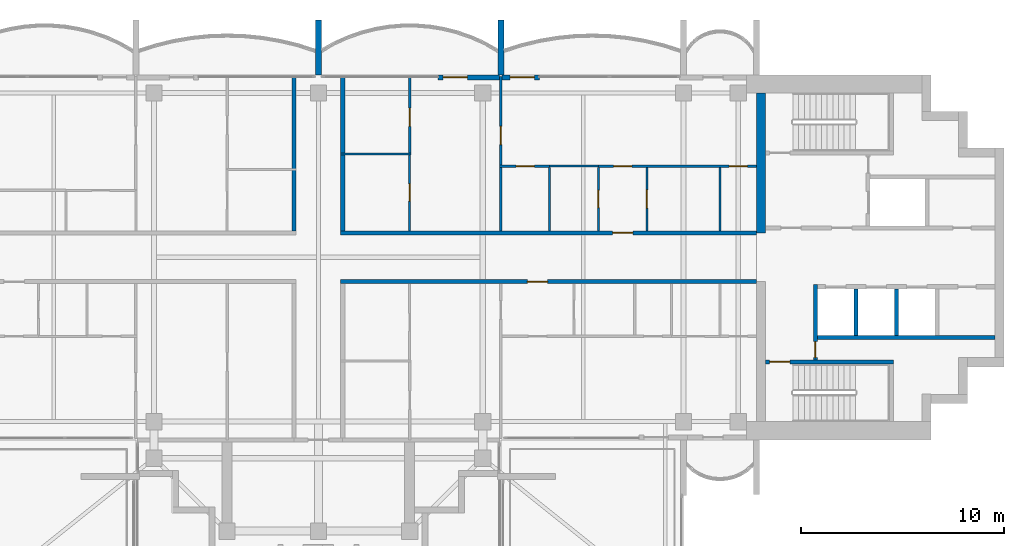
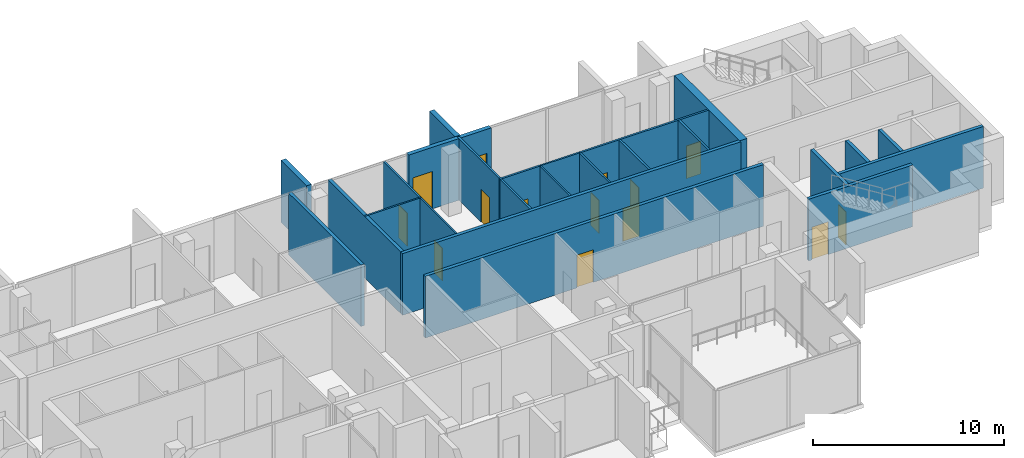
# One storey, part 10 of 16: 25 walls, 14 doors, 14 openings.
"""IFC4 building model written with IfcOpenShell, lengths in metres."""

import ifcopenshell
import ifcopenshell.guid

model = None  # the IFC model being written
_history = None  # IfcOwnerHistory: only IFC2X3 demands one
_inside = {}  # id of a spatial element -> (the spatial element, [elements in it])
_under = {}  # id of a project, library or spatial element -> (it, [spatial elements below it])
_declared = {}  # id of a project -> (the project, [libraries it declares])
_typed = {}  # id of a type object -> (the type object, [elements of that type])
_made_of = {}  # id of a material, layer set ... -> (it, [elements and type objects made of it])


def new_model(schema):
    """Start an empty IFC model of exactly this schema.

    Asked for "IFC4X3", IfcOpenShell would pick the latest addendum, in which some entities
    have other attributes; the version numbers below select the first issue.
    IFC2X3 requires an IfcOwnerHistory on every rooted entity: one is made here for all.
    """
    global model, _history
    if schema == "IFC4X3":
        model = ifcopenshell.file(schema_version=(4, 3, 0, 0))
    else:
        model = ifcopenshell.file(schema=schema)
    _inside.clear()
    _under.clear()
    _declared.clear()
    _typed.clear()
    _made_of.clear()
    _history = None
    if model.schema == "IFC2X3":
        org = make("IfcOrganization", Name="unknown")
        user = make(
            "IfcPersonAndOrganization",
            ThePerson=make("IfcPerson", FamilyName="unknown"),
            TheOrganization=org,
        )
        app = make(
            "IfcApplication",
            ApplicationDeveloper=org,
            Version="unknown",
            ApplicationFullName="unknown",
            ApplicationIdentifier="unknown",
        )
        _history = make(
            "IfcOwnerHistory",
            OwningUser=user,
            OwningApplication=app,
            ChangeAction="ADDED",
            CreationDate=0,
        )
    return model


def make(cls, **values):
    """One entity of the class cls with the attributes given. An attribute that is None is left unset."""
    return model.create_entity(
        cls, **{name: value for name, value in values.items() if value is not None}
    )


def rooted(cls, **values):
    """An entity with a GlobalId (a new one), such as an element, a storey or a relation."""
    return make(cls, GlobalId=ifcopenshell.guid.new(), OwnerHistory=_history, **values)


def si_unit(unit_type, name, prefix=None):
    """IfcSIUnit, for example si_unit("LENGTHUNIT", "METRE", prefix="MILLI")."""
    return make("IfcSIUnit", UnitType=unit_type, Prefix=prefix, Name=name)


def assignment(units):
    """IfcUnitAssignment: the units of a project."""
    return None if units is None else make("IfcUnitAssignment", Units=units)


def point(xyz):
    """IfcCartesianPoint."""
    return None if xyz is None else make("IfcCartesianPoint", Coordinates=xyz)


def direction(xyz):
    """IfcDirection."""
    return None if xyz is None else make("IfcDirection", DirectionRatios=xyz)


def frame(location, z_axis=None, x_axis=None):
    """IfcAxis2Placement3D, a coordinate frame: its origin and axes. An axis left out is left unset."""
    return make(
        "IfcAxis2Placement3D",
        Location=point(location),
        Axis=direction(z_axis),
        RefDirection=direction(x_axis),
    )


def frame_2d(location, x_axis=None):
    """IfcAxis2Placement2D, a coordinate frame in the plane: its origin and x axis."""
    return make(
        "IfcAxis2Placement2D", Location=point(location), RefDirection=direction(x_axis)
    )


def origin():
    """The frame at (0, 0, 0) with its axes left unset."""
    return frame((0.0, 0.0, 0.0))


def place(relative_to, where):
    """IfcLocalPlacement: puts the frame where relative to a parent placement (None: the world)."""
    return make(
        "IfcLocalPlacement", PlacementRelTo=relative_to, RelativePlacement=where
    )


def context(
    kind, dimensions, precision=None, world=None, true_north=None, identifier=None
):
    """IfcGeometricRepresentationContext, for example the 3D "Model" context."""
    return make(
        "IfcGeometricRepresentationContext",
        ContextIdentifier=identifier,
        ContextType=kind,
        CoordinateSpaceDimension=dimensions,
        Precision=precision,
        WorldCoordinateSystem=world,
        TrueNorth=true_north,
    )


def subcontext(parent, identifier, kind, view, scale=None):
    """IfcGeometricRepresentationSubContext, for example "Body" below "Model"."""
    return make(
        "IfcGeometricRepresentationSubContext",
        ContextIdentifier=identifier,
        ContextType=kind,
        ParentContext=parent,
        TargetScale=scale,
        TargetView=view,
    )


def project(units=None, contexts=None):
    """IfcProject with its units and contexts."""
    return rooted(
        "IfcProject",
        Name="project",
        RepresentationContexts=contexts,
        UnitsInContext=assignment(units),
    )


def spatial(cls, under=None, at=None, **own):
    """A site, building, storey or space (cls), placed at a placement, below another one or the project."""
    s = rooted(cls, ObjectPlacement=at, **own)
    if under is not None:
        _under.setdefault(under.id(), (under, []))[1].append(s)
    return s


def profile(cls, at=None, kind="AREA", **sizes):
    """A parametric profile (cls). Its sizes go by their IFC names, for example OverallWidth=200.0."""
    return make(cls, ProfileType=kind, Position=at, **sizes)


def rectangle(**sizes):
    """IfcRectangleProfileDef."""
    return profile("IfcRectangleProfileDef", **sizes)


def extrude(swept, where, along, depth):
    """IfcExtrudedAreaSolid: the profile swept, set in the frame where, extruded along a direction by depth."""
    return make(
        "IfcExtrudedAreaSolid",
        SweptArea=swept,
        Position=where,
        ExtrudedDirection=direction(along),
        Depth=depth,
    )


def shape(context_of_items, identifier, shape_type, items):
    """IfcShapeRepresentation: the items that make up one representation, for example the "Body"."""
    return make(
        "IfcShapeRepresentation",
        ContextOfItems=context_of_items,
        RepresentationIdentifier=identifier,
        RepresentationType=shape_type,
        Items=items,
    )


def material(Name=None, Category=None):
    """IfcMaterial."""
    return make("IfcMaterial", Name=Name, Category=Category)


def layer(
    of_material, thickness, ventilated=None, Name=None, Category=None, Priority=None
):
    """IfcMaterialLayer: one layer of a wall or slab, of a material (None: an air gap)."""
    return make(
        "IfcMaterialLayer",
        Material=of_material,
        LayerThickness=thickness,
        IsVentilated=ventilated,
        Name=Name,
        Category=Category,
        Priority=Priority,
    )


def layer_set(layers, Name=None):
    """IfcMaterialLayerSet."""
    return make("IfcMaterialLayerSet", MaterialLayers=layers, LayerSetName=Name)


def made_of(thing, what):
    """Note that an element or type object is made of a material, layer set ...; save() writes the relation."""
    if what is not None:
        _made_of.setdefault(what.id(), (what, []))[1].append(thing)
    return thing


def type_object(cls, material=None, **own):
    """A type object (cls), such as IfcWallType, which elements share."""
    return made_of(rooted(cls, **own), material)


def element(
    cls,
    number,
    at=None,
    inside=None,
    cuts=None,
    type_object=None,
    material=None,
    context=None,
    identifier="Body",
    shape_type=None,
    held_by="IfcProductDefinitionShape",
    body=None,
    shapes=None,
    **own,
):
    """One element of the class cls, such as IfcWall. Its Tag is "e" and its number.

    at: its placement. inside: the storey or other place that contains it. cuts: it is an
    opening in that element (IfcRelVoidsElement). A single representation is given by context,
    identifier, shape_type and body (its items); several are given by shapes. held_by: the class
    of the entity that holds the representations. save() writes the other relations.
    """
    e = rooted(cls, Tag="e%d" % number, ObjectPlacement=at, **own)
    if body is not None:
        shapes = [shape(context, identifier, shape_type, body)]
    if shapes is not None:
        e.Representation = make(held_by, Representations=shapes)
    if inside is not None:
        _inside.setdefault(inside.id(), (inside, []))[1].append(e)
    if cuts is not None:
        rooted(
            "IfcRelVoidsElement", RelatingBuildingElement=cuts, RelatedOpeningElement=e
        )
    if type_object is not None:
        _typed.setdefault(type_object.id(), (type_object, []))[1].append(e)
    return made_of(e, material)


def fill(opening, filler):
    """IfcRelFillsElement: the door or window that sits in an opening."""
    return rooted(
        "IfcRelFillsElement",
        RelatingOpeningElement=opening,
        RelatedBuildingElement=filler,
    )


def aggregate(whole, parts):
    """IfcRelAggregates: a whole, such as a stair, and the parts it consists of."""
    return rooted("IfcRelAggregates", RelatingObject=whole, RelatedObjects=parts)


def save(model, path):
    """Write the relations noted so far, then the file.

    IfcRelAggregates (storeys below a building ...), IfcRelContainedInSpatialStructure (elements
    in a storey), IfcRelDefinesByType, IfcRelAssociatesMaterial and IfcRelDeclares: one each for
    every whole, place, type object, material and project.
    """
    for whole, parts in _under.values():
        aggregate(whole, parts)
    for where, things in _inside.values():
        rooted(
            "IfcRelContainedInSpatialStructure",
            RelatedElements=things,
            RelatingStructure=where,
        )
    for kind, things in _typed.values():
        rooted("IfcRelDefinesByType", RelatedObjects=things, RelatingType=kind)
    for what, things in _made_of.values():
        rooted("IfcRelAssociatesMaterial", RelatedObjects=things, RelatingMaterial=what)
    for by, libraries in _declared.values():
        rooted("IfcRelDeclares", RelatingContext=by, RelatedDefinitions=libraries)
    model.write(path)


model = new_model("IFC4")

# Units and contexts
model_context = context("Model", 3, precision=1e-05, world=origin(), true_north=direction((0.0, 1.0)))
body_context = subcontext(model_context, "Body", "Model", "MODEL_VIEW")
ifc_project = project(units=[si_unit("LENGTHUNIT", "METRE"), si_unit("AREAUNIT", "SQUARE_METRE"), si_unit("VOLUMEUNIT", "CUBIC_METRE"), si_unit("PLANEANGLEUNIT", "RADIAN"), si_unit("MASSUNIT", "GRAM", prefix="KILO")], contexts=[model_context])

# Site, building, storey
site_placement = place(None, origin())
site = spatial("IfcSite", under=ifc_project, at=site_placement, CompositionType="ELEMENT")
building_placement = place(site_placement, origin())
building = spatial("IfcBuilding", under=site, at=building_placement, Name="Perihelion Cross Residences", CompositionType="ELEMENT")
storey_placement = place(building_placement, frame((0.0, 0.0, 290.39990234375)))
storey = spatial("IfcBuildingStorey", under=building, at=storey_placement, Name="L74", CompositionType="ELEMENT", Elevation=290.39990234375)

# Wall, opening, door
ifc_material_1 = material(Name="Plasterboard partition")
ifc_layer_1 = layer(ifc_material_1, 0.199951171875)
ifc_layer_set_1 = layer_set([ifc_layer_1], Name="Apartment separation wall 200")
wall_type_1 = type_object("IfcWallType", Name="Apartment separation wall 200", PredefinedType="PARTITIONING", material=ifc_layer_set_1)
wall_1_placement = place(storey_placement, frame((1.10009765625, 1.199951171875, 0.0), z_axis=(0.0, 0.0, 1.0), x_axis=(1.0, 0.0, 0.0)))
wall_1 = element("IfcWall", 1, at=wall_1_placement, inside=storey, type_object=wall_type_1, Name="Partition L74 W001", PredefinedType="PARTITIONING", context=body_context, shape_type="SweptSolid", body=[
    extrude(rectangle(XDim=20.5, YDim=0.199951171875, at=frame_2d((10.25, 0.0))), origin(), (0.0, 0.0, 1.0), 3.9501953125),
])
opening_1_placement = place(wall_1_placement, frame((13.39990234375, 0.0, 0.0)))
opening_1 = element("IfcOpeningElement", 2, at=opening_1_placement, cuts=wall_1, Name="Opening L74.A35", PredefinedType="OPENING", context=body_context, shape_type="SweptSolid", body=[
    extrude(rectangle(XDim=1.0, YDim=2.10009765625, at=frame_2d((0.5, 1.050048828125))), frame((0.0, 0.10986328125, 0.0), z_axis=(0.0, -1.0, 0.0), x_axis=(1.0, 0.0, 0.0)), (0.0, 0.0, 1.0), 0.219970703125),
])
ifc_material_2 = material(Name="Timber door leaf", Category="wood")
door_type_1 = type_object("IfcDoorType", Name="Flat entrance door 1000 x 2100", OperationType="SINGLE_SWING_LEFT", PredefinedType="DOOR", material=ifc_material_2)
door_1_placement = place(opening_1_placement, origin())
door_1 = element("IfcDoor", 3, at=door_1_placement, inside=storey, type_object=door_type_1, Name="Door L74.A35", OperationType="SINGLE_SWING_LEFT", OverallHeight=2.10009765625, OverallWidth=1.0, PredefinedType="DOOR", context=body_context, shape_type="SweptSolid", body=[
    extrude(rectangle(XDim=1.0, YDim=2.10009765625, at=frame_2d((0.5, 1.050048828125))), frame((0.0, 0.02490234375, 0.0), z_axis=(0.0, -1.0, 0.0), x_axis=(1.0, 0.0, 0.0)), (0.0, 0.0, 1.0), 0.050048828125),
])
fill(opening_1, door_1)

# Wall
wall_2_placement = place(storey_placement, frame((1.199951171875, 8.919921875, 0.0), z_axis=(0.0, 0.0, 1.0), x_axis=(0.0, -1.0, 0.0)))
element("IfcWall", 4, at=wall_2_placement, inside=storey, type_object=wall_type_1, Name="Partition L74 W002", PredefinedType="PARTITIONING", context=body_context, shape_type="SweptSolid", body=[
    extrude(rectangle(XDim=7.619873046875, YDim=0.199951171875, at=frame_2d((3.81005859375, 0.0))), origin(), (0.0, 0.0, 1.0), 3.9501953125),
])

# Wall, opening, door
wall_3_placement = place(storey_placement, frame((21.60009765625, -1.199951171875, 0.0), z_axis=(0.0, 0.0, 1.0), x_axis=(-1.0, 0.0, 0.0)))
wall_3 = element("IfcWall", 5, at=wall_3_placement, inside=storey, type_object=wall_type_1, Name="Partition L74 W003", PredefinedType="PARTITIONING", context=body_context, shape_type="SweptSolid", body=[
    extrude(rectangle(XDim=20.5, YDim=0.199951171875, at=frame_2d((10.25, 0.0))), origin(), (0.0, 0.0, 1.0), 3.9501953125),
])
opening_2_placement = place(wall_3_placement, frame((10.300048828125, 0.0, 0.0)))
opening_2 = element("IfcOpeningElement", 6, at=opening_2_placement, cuts=wall_3, Name="Opening L74.A36", PredefinedType="OPENING", context=body_context, shape_type="SweptSolid", body=[
    extrude(rectangle(XDim=1.0, YDim=2.10009765625, at=frame_2d((0.5, 1.050048828125))), frame((0.0, 0.10986328125, 0.0), z_axis=(0.0, -1.0, 0.0), x_axis=(1.0, 0.0, 0.0)), (0.0, 0.0, 1.0), 0.219970703125),
])
door_2_placement = place(opening_2_placement, origin())
door_2 = element("IfcDoor", 7, at=door_2_placement, inside=storey, type_object=door_type_1, Name="Door L74.A36", OperationType="SINGLE_SWING_RIGHT", OverallHeight=2.10009765625, OverallWidth=1.0, PredefinedType="DOOR", context=body_context, shape_type="SweptSolid", body=[
    extrude(rectangle(XDim=1.0, YDim=2.10009765625, at=frame_2d((0.5, 1.050048828125))), frame((0.0, 0.02490234375, 0.0), z_axis=(0.0, -1.0, 0.0), x_axis=(1.0, 0.0, 0.0)), (0.0, 0.0, 1.0), 0.050048828125),
])
fill(opening_2, door_2)

# Wall
wall_4_placement = place(storey_placement, frame((-1.199951171875, 1.300048828125, 0.0), z_axis=(0.0, 0.0, 1.0), x_axis=(0.0, 1.0, 0.0)))
element("IfcWall", 8, at=wall_4_placement, inside=storey, type_object=wall_type_1, Name="Partition L74 W006", PredefinedType="PARTITIONING", context=body_context, shape_type="SweptSolid", body=[
    extrude(rectangle(XDim=7.619873046875, YDim=0.199951171875, at=frame_2d((3.81005859375, 0.0))), origin(), (0.0, 0.0, 1.0), 3.9501953125),
])

# Wall, opening, door
ifc_material_3 = material(Name="Concrete C30/37, bronze-clad", Category="concrete")
ifc_layer_2 = layer(ifc_material_3, 0.25)
ifc_layer_set_2 = layer_set([ifc_layer_2], Name="Bronze-clad pier wall 250")
wall_type_2 = type_object("IfcWallType", Name="Bronze-clad pier wall 250", PredefinedType="SOLIDWALL", material=ifc_layer_set_2)
wall_5_placement = place(storey_placement, frame((10.89990234375, 8.875, 0.0), z_axis=(0.0, 0.0, 1.0), x_axis=(-1.0, 0.0, 0.0)))
wall_5 = element("IfcWall", 9, at=wall_5_placement, inside=storey, type_object=wall_type_2, Name="Wall FW1 L74 east side north bay 2 pier", PredefinedType="SOLIDWALL", context=body_context, shape_type="SweptSolid", body=[
    extrude(rectangle(XDim=1.83984375, YDim=0.25, at=frame_2d((0.919921875, 0.0))), origin(), (0.0, 0.0, 1.0), 3.9501953125),
])
opening_3_placement = place(wall_5_placement, frame((0.25, 0.0, 0.0)))
opening_3 = element("IfcOpeningElement", 10, at=opening_3_placement, cuts=wall_5, Name="Opening L74.E02", PredefinedType="OPENING", context=body_context, shape_type="SweptSolid", body=[
    extrude(rectangle(XDim=1.199951171875, YDim=2.39990234375, at=frame_2d((0.60009765625, 1.199951171875))), frame((0.0, 0.135009765625, 0.0), z_axis=(0.0, -1.0, 0.0), x_axis=(1.0, 0.0, 0.0)), (0.0, 0.0, 1.0), 0.27001953125),
])
ifc_material_4 = material(Name="Bronze anodised aluminium, glazed", Category="aluminium")
door_type_2 = type_object("IfcDoorType", Name="Balcony door 1200 x 2400", OperationType="NOTDEFINED", PredefinedType="DOOR", material=ifc_material_4)
door_3_placement = place(opening_3_placement, origin())
door_3 = element("IfcDoor", 11, at=door_3_placement, inside=storey, type_object=door_type_2, Name="Door L74.E02 east side north bay 2", OperationType="SINGLE_SWING_RIGHT", OverallHeight=2.39990234375, OverallWidth=1.199951171875, PredefinedType="DOOR", context=body_context, shape_type="SweptSolid", body=[
    extrude(rectangle(XDim=1.199951171875, YDim=2.39990234375, at=frame_2d((0.60009765625, 1.199951171875))), frame((0.0, 0.02490234375, 0.0), z_axis=(0.0, -1.0, 0.0), x_axis=(1.0, 0.0, 0.0)), (0.0, 0.0, 1.0), 0.050048828125),
])
fill(opening_3, door_3)

wall_6_placement = place(storey_placement, frame((8.93994140625, 8.875, 0.0), z_axis=(0.0, 0.0, 1.0), x_axis=(-1.0, 0.0, 0.0)))
wall_6 = element("IfcWall", 12, at=wall_6_placement, inside=storey, type_object=wall_type_2, Name="Wall FW1 L74 north side east bay 1 pier", PredefinedType="SOLIDWALL", context=body_context, shape_type="SweptSolid", body=[
    extrude(rectangle(XDim=3.0400390625, YDim=0.25, at=frame_2d((1.52001953125, 0.0))), origin(), (0.0, 0.0, 1.0), 3.9501953125),
])
opening_4_placement = place(wall_6_placement, frame((1.590087890625, 0.0, 0.0)))
opening_4 = element("IfcOpeningElement", 13, at=opening_4_placement, cuts=wall_6, Name="Opening L74.E03", PredefinedType="OPENING", context=body_context, shape_type="SweptSolid", body=[
    extrude(rectangle(XDim=1.199951171875, YDim=2.39990234375, at=frame_2d((0.60009765625, 1.199951171875))), frame((0.0, 0.135009765625, 0.0), z_axis=(0.0, -1.0, 0.0), x_axis=(1.0, 0.0, 0.0)), (0.0, 0.0, 1.0), 0.27001953125),
])
door_4_placement = place(opening_4_placement, origin())
door_4 = element("IfcDoor", 14, at=door_4_placement, inside=storey, type_object=door_type_2, Name="Door L74.E03 north side east bay 1", OperationType="SINGLE_SWING_LEFT", OverallHeight=2.39990234375, OverallWidth=1.199951171875, PredefinedType="DOOR", context=body_context, shape_type="SweptSolid", body=[
    extrude(rectangle(XDim=1.199951171875, YDim=2.39990234375, at=frame_2d((0.60009765625, 1.199951171875))), frame((0.0, 0.02490234375, 0.0), z_axis=(0.0, -1.0, 0.0), x_axis=(1.0, 0.0, 0.0)), (0.0, 0.0, 1.0), 0.050048828125),
])
fill(opening_4, door_4)

# Wall
ifc_material_5 = material(Name="Concrete C60/75", Category="concrete")
ifc_layer_3 = layer(ifc_material_5, 0.449951171875)
ifc_layer_set_3 = layer_set([ifc_layer_3], Name="Core wall, inner 450")
wall_type_3 = type_object("IfcWallType", Name="Core wall, inner 450", PredefinedType="SHEAR", material=ifc_layer_set_3)
wall_7_placement = place(storey_placement, frame((21.824951171875, 1.199951171875, 0.0), z_axis=(0.0, 0.0, 1.0), x_axis=(0.0, 1.0, 0.0)))
element("IfcWall", 15, at=wall_7_placement, inside=storey, type_object=wall_type_3, Name="East core core wall, inner", PredefinedType="SHEAR", context=body_context, shape_type="SweptSolid", body=[
    extrude(rectangle(XDim=6.900146484375, YDim=0.449951171875, at=frame_2d((3.4501953125, 0.0))), origin(), (0.0, 0.0, 1.0), 3.9501953125),
])

# Wall, opening, door
ifc_material_6 = material(Name="Concrete C50/60", Category="concrete")
ifc_layer_4 = layer(ifc_material_6, 0.199951171875)
ifc_layer_set_4 = layer_set([ifc_layer_4], Name="Lobby wall 200")
wall_type_4 = type_object("IfcWallType", Name="Lobby wall 200", PredefinedType="SOLIDWALL", material=ifc_layer_set_4)
wall_8_placement = place(storey_placement, frame((24.5, -5.050048828125, 0.0), z_axis=(0.0, 0.0, 1.0), x_axis=(0.0, 1.0, 0.0)))
wall_8 = element("IfcWall", 16, at=wall_8_placement, inside=storey, type_object=wall_type_4, Name="East core lobby wall", PredefinedType="SOLIDWALL", context=body_context, shape_type="SweptSolid", body=[
    extrude(rectangle(XDim=3.699951171875, YDim=0.199951171875, at=frame_2d((1.85009765625, 0.0))), origin(), (0.0, 0.0, 1.0), 3.9501953125),
])
opening_5_placement = place(wall_8_placement, frame((0.10009765625, 0.0, 0.0)))
opening_5 = element("IfcOpeningElement", 17, at=opening_5_placement, cuts=wall_8, Name="Opening L74.C08", PredefinedType="OPENING", context=body_context, shape_type="SweptSolid", body=[
    extrude(rectangle(XDim=0.800048828125, YDim=2.10009765625, at=frame_2d((0.39990234375, 1.050048828125))), frame((0.0, 0.10986328125, 0.0), z_axis=(0.0, -1.0, 0.0), x_axis=(1.0, 0.0, 0.0)), (0.0, 0.0, 1.0), 0.219970703125),
])
ifc_material_7 = material(Name="Steel, powder coated", Category="steel")
door_type_3 = type_object("IfcDoorType", Name="Riser door 800", OperationType="SINGLE_SWING_LEFT", PredefinedType="DOOR", material=ifc_material_7)
door_5_placement = place(opening_5_placement, origin())
door_5 = element("IfcDoor", 18, at=door_5_placement, inside=storey, type_object=door_type_3, Name="East core riser door", OperationType="SINGLE_SWING_LEFT", OverallHeight=2.10009765625, OverallWidth=0.800048828125, PredefinedType="DOOR", context=body_context, shape_type="SweptSolid", body=[
    extrude(rectangle(XDim=0.800048828125, YDim=2.10009765625, at=frame_2d((0.39990234375, 1.050048828125))), frame((0.0, 0.02490234375, 0.0), z_axis=(0.0, -1.0, 0.0), x_axis=(1.0, 0.0, 0.0)), (0.0, 0.0, 1.0), 0.050048828125),
])
fill(opening_5, door_5)

ifc_material_8 = material(Name="Plasterboard partition")
ifc_layer_5 = layer(ifc_material_8, 0.1201171875)
ifc_layer_set_5 = layer_set([ifc_layer_5], Name="Partition wall 120")
wall_type_5 = type_object("IfcWallType", Name="Partition wall 120", PredefinedType="PARTITIONING", material=ifc_layer_set_5)
wall_9_placement = place(storey_placement, frame((8.93994140625, 4.5, 0.0), z_axis=(0.0, 0.0, 1.0), x_axis=(1.0, 0.0, 0.0)))
wall_9 = element("IfcWall", 19, at=wall_9_placement, inside=storey, type_object=wall_type_5, Name="Partition L74 W011", PredefinedType="PARTITIONING", context=body_context, shape_type="SweptSolid", body=[
    extrude(rectangle(XDim=2.4599609375, YDim=0.1201171875, at=frame_2d((1.22998046875, 0.0))), origin(), (0.0, 0.0, 1.0), 3.9501953125),
])
opening_6_placement = place(wall_9_placement, frame((0.81005859375, 0.0, 0.0)))
opening_6 = element("IfcOpeningElement", 20, at=opening_6_placement, cuts=wall_9, Name="Opening L74.A08", PredefinedType="OPENING", context=body_context, shape_type="SweptSolid", body=[
    extrude(rectangle(XDim=0.89990234375, YDim=2.10009765625, at=frame_2d((0.449951171875, 1.050048828125))), frame((0.0, 0.070068359375, 0.0), z_axis=(0.0, -1.0, 0.0), x_axis=(1.0, 0.0, 0.0)), (0.0, 0.0, 1.0), 0.14013671875),
])
ifc_material_9 = material(Name="Timber door leaf", Category="wood")
door_type_4 = type_object("IfcDoorType", Name="Interior room door 900 x 2100", OperationType="SINGLE_SWING_LEFT", PredefinedType="DOOR", material=ifc_material_9)
door_6_placement = place(opening_6_placement, origin())
door_6 = element("IfcDoor", 21, at=door_6_placement, inside=storey, type_object=door_type_4, Name="Door L74.A08", OperationType="SINGLE_SWING_RIGHT", OverallHeight=2.10009765625, OverallWidth=0.89990234375, PredefinedType="DOOR", context=body_context, shape_type="SweptSolid", body=[
    extrude(rectangle(XDim=0.89990234375, YDim=2.10009765625, at=frame_2d((0.449951171875, 1.050048828125))), frame((0.0, 0.02490234375, 0.0), z_axis=(0.0, -1.0, 0.0), x_axis=(1.0, 0.0, 0.0)), (0.0, 0.0, 1.0), 0.050048828125),
])
fill(opening_6, door_6)

wall_10_placement = place(storey_placement, frame((9.0, 1.300048828125, 0.0), z_axis=(0.0, 0.0, 1.0), x_axis=(0.0, 1.0, 0.0)))
wall_10 = element("IfcWall", 22, at=wall_10_placement, inside=storey, type_object=wall_type_5, Name="Partition L74 W012", PredefinedType="PARTITIONING", context=body_context, shape_type="SweptSolid", body=[
    extrude(rectangle(XDim=7.619873046875, YDim=0.1201171875, at=frame_2d((3.81005859375, 0.0))), origin(), (0.0, 0.0, 1.0), 3.9501953125),
])
opening_7_placement = place(wall_10_placement, frame((4.25, 0.0, 0.0)))
opening_7 = element("IfcOpeningElement", 23, at=opening_7_placement, cuts=wall_10, Name="Opening L74.A03", PredefinedType="OPENING", context=body_context, shape_type="SweptSolid", body=[
    extrude(rectangle(XDim=0.89990234375, YDim=2.10009765625, at=frame_2d((0.449951171875, 1.050048828125))), frame((0.0, 0.070068359375, 0.0), z_axis=(0.0, -1.0, 0.0), x_axis=(1.0, 0.0, 0.0)), (0.0, 0.0, 1.0), 0.14013671875),
])
door_7_placement = place(opening_7_placement, origin())
door_7 = element("IfcDoor", 24, at=door_7_placement, inside=storey, type_object=door_type_4, Name="Door L74.A03", OperationType="SINGLE_SWING_LEFT", OverallHeight=2.10009765625, OverallWidth=0.89990234375, PredefinedType="DOOR", context=body_context, shape_type="SweptSolid", body=[
    extrude(rectangle(XDim=0.89990234375, YDim=2.10009765625, at=frame_2d((0.449951171875, 1.050048828125))), frame((0.0, 0.02490234375, 0.0), z_axis=(0.0, -1.0, 0.0), x_axis=(1.0, 0.0, 0.0)), (0.0, 0.0, 1.0), 0.050048828125),
])
fill(opening_7, door_7)

wall_11_placement = place(storey_placement, frame((16.199951171875, 4.43994140625, 0.0), z_axis=(0.0, 0.0, 1.0), x_axis=(0.0, -1.0, 0.0)))
wall_11 = element("IfcWall", 25, at=wall_11_placement, inside=storey, type_object=wall_type_5, Name="Partition L74 W015", PredefinedType="PARTITIONING", context=body_context, shape_type="SweptSolid", body=[
    extrude(rectangle(XDim=3.139892578125, YDim=0.1201171875, at=frame_2d((1.56982421875, 0.0))), origin(), (0.0, 0.0, 1.0), 3.9501953125),
])
opening_8_placement = place(wall_11_placement, frame((1.1201171875, 0.0, 0.0)))
opening_8 = element("IfcOpeningElement", 26, at=opening_8_placement, cuts=wall_11, Name="Opening L74.A04", PredefinedType="OPENING", context=body_context, shape_type="SweptSolid", body=[
    extrude(rectangle(XDim=0.89990234375, YDim=2.10009765625, at=frame_2d((0.449951171875, 1.050048828125))), frame((0.0, 0.070068359375, 0.0), z_axis=(0.0, -1.0, 0.0), x_axis=(1.0, 0.0, 0.0)), (0.0, 0.0, 1.0), 0.14013671875),
])
door_8_placement = place(opening_8_placement, origin())
door_8 = element("IfcDoor", 27, at=door_8_placement, inside=storey, type_object=door_type_4, Name="Door L74.A04", OperationType="SINGLE_SWING_LEFT", OverallHeight=2.10009765625, OverallWidth=0.89990234375, PredefinedType="DOOR", context=body_context, shape_type="SweptSolid", body=[
    extrude(rectangle(XDim=0.89990234375, YDim=2.10009765625, at=frame_2d((0.449951171875, 1.050048828125))), frame((0.0, 0.02490234375, 0.0), z_axis=(0.0, -1.0, 0.0), x_axis=(1.0, 0.0, 0.0)), (0.0, 0.0, 1.0), 0.050048828125),
])
fill(opening_8, door_8)

# Wall, openings, doors
wall_12_placement = place(storey_placement, frame((13.800048828125, 4.5, 0.0), z_axis=(0.0, 0.0, 1.0), x_axis=(1.0, 0.0, 0.0)))
wall_12 = element("IfcWall", 28, at=wall_12_placement, inside=storey, type_object=wall_type_5, Name="Partition L74 W016", PredefinedType="PARTITIONING", context=body_context, shape_type="SweptSolid", body=[
    extrude(rectangle(XDim=7.800048828125, YDim=0.1201171875, at=frame_2d((3.89990234375, 0.0))), origin(), (0.0, 0.0, 1.0), 3.9501953125),
])
opening_9_placement = place(wall_12_placement, frame((6.449951171875, 0.0, 0.0)))
opening_9 = element("IfcOpeningElement", 29, at=opening_9_placement, cuts=wall_12, Name="Opening L74.A05", PredefinedType="OPENING", context=body_context, shape_type="SweptSolid", body=[
    extrude(rectangle(XDim=0.89990234375, YDim=2.10009765625, at=frame_2d((0.449951171875, 1.050048828125))), frame((0.0, 0.070068359375, 0.0), z_axis=(0.0, -1.0, 0.0), x_axis=(1.0, 0.0, 0.0)), (0.0, 0.0, 1.0), 0.14013671875),
])
opening_10_placement = place(wall_12_placement, frame((0.75, 0.0, 0.0)))
opening_10 = element("IfcOpeningElement", 30, at=opening_10_placement, cuts=wall_12, Name="Opening L74.A07", PredefinedType="OPENING", context=body_context, shape_type="SweptSolid", body=[
    extrude(rectangle(XDim=0.89990234375, YDim=2.10009765625, at=frame_2d((0.449951171875, 1.050048828125))), frame((0.0, 0.070068359375, 0.0), z_axis=(0.0, -1.0, 0.0), x_axis=(1.0, 0.0, 0.0)), (0.0, 0.0, 1.0), 0.14013671875),
])
door_9_placement = place(opening_9_placement, origin())
door_9 = element("IfcDoor", 31, at=door_9_placement, inside=storey, type_object=door_type_4, Name="Door L74.A05", OperationType="SINGLE_SWING_LEFT", OverallHeight=2.10009765625, OverallWidth=0.89990234375, PredefinedType="DOOR", context=body_context, shape_type="SweptSolid", body=[
    extrude(rectangle(XDim=0.89990234375, YDim=2.10009765625, at=frame_2d((0.449951171875, 1.050048828125))), frame((0.0, 0.02490234375, 0.0), z_axis=(0.0, -1.0, 0.0), x_axis=(1.0, 0.0, 0.0)), (0.0, 0.0, 1.0), 0.050048828125),
])
fill(opening_9, door_9)
door_10_placement = place(opening_10_placement, origin())
door_10 = element("IfcDoor", 32, at=door_10_placement, inside=storey, type_object=door_type_4, Name="Door L74.A07", OperationType="SINGLE_SWING_LEFT", OverallHeight=2.10009765625, OverallWidth=0.89990234375, PredefinedType="DOOR", context=body_context, shape_type="SweptSolid", body=[
    extrude(rectangle(XDim=0.89990234375, YDim=2.10009765625, at=frame_2d((0.449951171875, 1.050048828125))), frame((0.0, 0.02490234375, 0.0), z_axis=(0.0, -1.0, 0.0), x_axis=(1.0, 0.0, 0.0)), (0.0, 0.0, 1.0), 0.050048828125),
])
fill(opening_10, door_10)

# Wall
wall_13_placement = place(storey_placement, frame((19.800048828125, 4.43994140625, 0.0), z_axis=(0.0, 0.0, 1.0), x_axis=(0.0, -1.0, 0.0)))
element("IfcWall", 33, at=wall_13_placement, inside=storey, type_object=wall_type_5, Name="Partition L74 W017", PredefinedType="PARTITIONING", context=body_context, shape_type="SweptSolid", body=[
    extrude(rectangle(XDim=3.139892578125, YDim=0.1201171875, at=frame_2d((1.56982421875, 0.0))), origin(), (0.0, 0.0, 1.0), 3.9501953125),
])

# Wall, opening, door
wall_14_placement = place(storey_placement, frame((4.5, 5.10009765625, 0.0), z_axis=(0.0, 0.0, 1.0), x_axis=(0.0, 1.0, 0.0)))
wall_14 = element("IfcWall", 34, at=wall_14_placement, inside=storey, type_object=wall_type_5, Name="Partition L74 W019", PredefinedType="PARTITIONING", context=body_context, shape_type="SweptSolid", body=[
    extrude(rectangle(XDim=3.81982421875, YDim=0.1201171875, at=frame_2d((1.909912109375, 0.0))), origin(), (0.0, 0.0, 1.0), 3.9501953125),
])
opening_11_placement = place(wall_14_placement, frame((1.35009765625, 0.0, 0.0)))
opening_11 = element("IfcOpeningElement", 35, at=opening_11_placement, cuts=wall_14, Name="Opening L74.A06", PredefinedType="OPENING", context=body_context, shape_type="SweptSolid", body=[
    extrude(rectangle(XDim=0.89990234375, YDim=2.10009765625, at=frame_2d((0.449951171875, 1.050048828125))), frame((0.0, 0.070068359375, 0.0), z_axis=(0.0, -1.0, 0.0), x_axis=(1.0, 0.0, 0.0)), (0.0, 0.0, 1.0), 0.14013671875),
])
door_11_placement = place(opening_11_placement, origin())
door_11 = element("IfcDoor", 36, at=door_11_placement, inside=storey, type_object=door_type_4, Name="Door L74.A06", OperationType="SINGLE_SWING_LEFT", OverallHeight=2.10009765625, OverallWidth=0.89990234375, PredefinedType="DOOR", context=body_context, shape_type="SweptSolid", body=[
    extrude(rectangle(XDim=0.89990234375, YDim=2.10009765625, at=frame_2d((0.449951171875, 1.050048828125))), frame((0.0, 0.02490234375, 0.0), z_axis=(0.0, -1.0, 0.0), x_axis=(1.0, 0.0, 0.0)), (0.0, 0.0, 1.0), 0.050048828125),
])
fill(opening_11, door_11)

# Walls
ifc_material_10 = material(Name="Precast concrete C50/60", Category="concrete")
ifc_layer_6 = layer(ifc_material_10, 0.300048828125)
ifc_layer_set_6 = layer_set([ifc_layer_6], Name="Precast concrete C50/60 blade wall 300")
wall_type_6 = type_object("IfcWallType", Name="Precast concrete C50/60 blade wall 300", PredefinedType="SOLIDWALL", material=ifc_layer_set_6)
for number, where, z_axis, x_axis, name in (
    (37, (0.0, 9.0, 0.0), (0.0, 0.0, 1.0), (0.0, 1.0, 0.0), "Wall BL1 L74 no. 9"),
    (38, (9.0, 9.0, 0.0), (0.0, 0.0, 1.0), (0.0, 1.0, 0.0), "Wall BL1 L74 no. 16"),
):
    element("IfcWall", number, at=place(storey_placement, frame(where, z_axis=z_axis, x_axis=x_axis)), inside=storey, type_object=wall_type_6, Name=name, PredefinedType="SOLIDWALL", context=body_context, shape_type="SweptSolid", body=[
        extrude(rectangle(XDim=2.699951171875, YDim=0.300048828125, at=frame_2d((1.35009765625, 0.0))), origin(), (0.0, 0.0, 1.0), 3.9501953125),
    ])
ifc_material_11 = material(Name="Concrete C50/60", Category="concrete")
ifc_layer_7 = layer(ifc_material_11, 0.199951171875)
ifc_layer_set_7 = layer_set([ifc_layer_7], Name="Shaft wall 200")
wall_type_7 = type_object("IfcWallType", Name="Shaft wall 200", PredefinedType="SOLIDWALL", material=ifc_layer_set_7)
wall_15_placement = place(storey_placement, frame((24.60009765625, -3.949951171875, 0.0), z_axis=(0.0, 0.0, 1.0), x_axis=(1.0, 0.0, 0.0)))
element("IfcWall", 39, at=wall_15_placement, inside=storey, type_object=wall_type_7, Name="East core shaft wall", PredefinedType="SOLIDWALL", context=body_context, shape_type="SweptSolid", body=[
    extrude(rectangle(XDim=8.75, YDim=0.199951171875, at=frame_2d((4.375, 0.0))), origin(), (0.0, 0.0, 1.0), 3.9501953125),
])
for number, where, z_axis, x_axis, name in (
    (40, (26.5, -3.85009765625, 0.0), (0.0, 0.0, 1.0), (0.0, 1.0, 0.0), "East core shaft wall"),
    (41, (28.5, -3.85009765625, 0.0), (0.0, 0.0, 1.0), (0.0, 1.0, 0.0), "East core shaft wall"),
):
    element("IfcWall", number, at=place(storey_placement, frame(where, z_axis=z_axis, x_axis=x_axis)), inside=storey, type_object=wall_type_7, Name=name, PredefinedType="SOLIDWALL", context=body_context, shape_type="SweptSolid", body=[
        extrude(rectangle(XDim=2.300048828125, YDim=0.199951171875, at=frame_2d((1.14990234375, 0.0))), origin(), (0.0, 0.0, 1.0), 3.9501953125),
    ])

# Wall, opening, door
ifc_material_12 = material(Name="Concrete C50/60", Category="concrete")
ifc_layer_8 = layer(ifc_material_12, 0.199951171875)
ifc_layer_set_8 = layer_set([ifc_layer_8], Name="Stair wall 200")
wall_type_8 = type_object("IfcWallType", Name="Stair wall 200", PredefinedType="SOLIDWALL", material=ifc_layer_set_8)
wall_16_placement = place(storey_placement, frame((22.050048828125, -5.14990234375, 0.0), z_axis=(0.0, 0.0, 1.0), x_axis=(1.0, 0.0, 0.0)))
wall_16 = element("IfcWall", 42, at=wall_16_placement, inside=storey, type_object=wall_type_8, Name="East core stair wall", PredefinedType="SOLIDWALL", context=body_context, shape_type="SweptSolid", body=[
    extrude(rectangle(XDim=6.300048828125, YDim=0.199951171875, at=frame_2d((3.14990234375, 0.0))), origin(), (0.0, 0.0, 1.0), 3.9501953125),
])
opening_12_placement = place(wall_16_placement, frame((0.199951171875, 0.0, 0.0)))
opening_12 = element("IfcOpeningElement", 43, at=opening_12_placement, cuts=wall_16, Name="Opening L74.C05", PredefinedType="OPENING", context=body_context, shape_type="SweptSolid", body=[
    extrude(rectangle(XDim=1.0, YDim=2.10009765625, at=frame_2d((0.5, 1.050048828125))), frame((0.0, 0.10986328125, 0.0), z_axis=(0.0, -1.0, 0.0), x_axis=(1.0, 0.0, 0.0)), (0.0, 0.0, 1.0), 0.219970703125),
])
ifc_material_13 = material(Name="Steel, powder coated", Category="steel")
door_type_5 = type_object("IfcDoorType", Name="Stair door 1000", OperationType="SINGLE_SWING_LEFT", PredefinedType="DOOR", material=ifc_material_13)
door_12_placement = place(opening_12_placement, origin())
door_12 = element("IfcDoor", 44, at=door_12_placement, inside=storey, type_object=door_type_5, Name="East core stair door", OperationType="SINGLE_SWING_LEFT", OverallHeight=2.10009765625, OverallWidth=1.0, PredefinedType="DOOR", context=body_context, shape_type="SweptSolid", body=[
    extrude(rectangle(XDim=1.0, YDim=2.10009765625, at=frame_2d((0.5, 1.050048828125))), frame((0.0, 0.02490234375, 0.0), z_axis=(0.0, -1.0, 0.0), x_axis=(1.0, 0.0, 0.0)), (0.0, 0.0, 1.0), 0.050048828125),
])
fill(opening_12, door_12)

# Wall
ifc_material_14 = material(Name="Plasterboard partition")
ifc_layer_9 = layer(ifc_material_14, 0.10009765625)
ifc_layer_set_9 = layer_set([ifc_layer_9], Name="Wet room wall 100")
wall_type_9 = type_object("IfcWallType", Name="Wet room wall 100", PredefinedType="PARTITIONING", material=ifc_layer_set_9)
wall_17_placement = place(storey_placement, frame((11.39990234375, 4.43994140625, 0.0), z_axis=(0.0, 0.0, 1.0), x_axis=(0.0, -1.0, 0.0)))
element("IfcWall", 45, at=wall_17_placement, inside=storey, type_object=wall_type_9, Name="Partition L74 W010", PredefinedType="PARTITIONING", context=body_context, shape_type="SweptSolid", body=[
    extrude(rectangle(XDim=3.139892578125, YDim=0.10009765625, at=frame_2d((1.56982421875, 0.0))), origin(), (0.0, 0.0, 1.0), 3.9501953125),
])

# Wall, opening, door
wall_18_placement = place(storey_placement, frame((13.800048828125, 4.43994140625, 0.0), z_axis=(0.0, 0.0, 1.0), x_axis=(0.0, -1.0, 0.0)))
wall_18 = element("IfcWall", 46, at=wall_18_placement, inside=storey, type_object=wall_type_9, Name="Partition L74 W013", PredefinedType="PARTITIONING", context=body_context, shape_type="SweptSolid", body=[
    extrude(rectangle(XDim=3.139892578125, YDim=0.10009765625, at=frame_2d((1.56982421875, 0.0))), origin(), (0.0, 0.0, 1.0), 3.9501953125),
])
opening_13_placement = place(wall_18_placement, frame((1.14501953125, 0.0, 0.0)))
opening_13 = element("IfcOpeningElement", 47, at=opening_13_placement, cuts=wall_18, Name="Opening L74.A01", PredefinedType="OPENING", context=body_context, shape_type="SweptSolid", body=[
    extrude(rectangle(XDim=0.85009765625, YDim=2.10009765625, at=frame_2d((0.425048828125, 1.050048828125))), frame((0.0, 0.06005859375, 0.0), z_axis=(0.0, -1.0, 0.0), x_axis=(1.0, 0.0, 0.0)), (0.0, 0.0, 1.0), 0.1201171875),
])
ifc_material_15 = material(Name="Timber door leaf", Category="wood")
door_type_6 = type_object("IfcDoorType", Name="Interior bathroom door 850 x 2100", OperationType="SINGLE_SWING_LEFT", PredefinedType="DOOR", material=ifc_material_15)
door_13_placement = place(opening_13_placement, origin())
door_13 = element("IfcDoor", 48, at=door_13_placement, inside=storey, type_object=door_type_6, Name="Door L74.A01", OperationType="SINGLE_SWING_LEFT", OverallHeight=2.10009765625, OverallWidth=0.85009765625, PredefinedType="DOOR", context=body_context, shape_type="SweptSolid", body=[
    extrude(rectangle(XDim=0.85009765625, YDim=2.10009765625, at=frame_2d((0.425048828125, 1.050048828125))), frame((0.0, 0.02490234375, 0.0), z_axis=(0.0, -1.0, 0.0), x_axis=(1.0, 0.0, 0.0)), (0.0, 0.0, 1.0), 0.050048828125),
])
fill(opening_13, door_13)

# Wall
wall_19_placement = place(storey_placement, frame((11.39990234375, 4.5, 0.0), z_axis=(0.0, 0.0, 1.0), x_axis=(1.0, 0.0, 0.0)))
element("IfcWall", 49, at=wall_19_placement, inside=storey, type_object=wall_type_9, Name="Partition L74 W014", PredefinedType="PARTITIONING", context=body_context, shape_type="SweptSolid", body=[
    extrude(rectangle(XDim=2.400146484375, YDim=0.10009765625, at=frame_2d((1.2001953125, 0.0))), origin(), (0.0, 0.0, 1.0), 3.9501953125),
])

# Wall, opening, door
wall_20_placement = place(storey_placement, frame((4.5, 1.300048828125, 0.0), z_axis=(0.0, 0.0, 1.0), x_axis=(0.0, 1.0, 0.0)))
wall_20 = element("IfcWall", 50, at=wall_20_placement, inside=storey, type_object=wall_type_9, Name="Partition L74 W018", PredefinedType="PARTITIONING", context=body_context, shape_type="SweptSolid", body=[
    extrude(rectangle(XDim=3.800048828125, YDim=0.10009765625, at=frame_2d((1.89990234375, 0.0))), origin(), (0.0, 0.0, 1.0), 3.9501953125),
])
opening_14_placement = place(wall_20_placement, frame((1.47509765625, 0.0, 0.0)))
opening_14 = element("IfcOpeningElement", 51, at=opening_14_placement, cuts=wall_20, Name="Opening L74.A02", PredefinedType="OPENING", context=body_context, shape_type="SweptSolid", body=[
    extrude(rectangle(XDim=0.85009765625, YDim=2.10009765625, at=frame_2d((0.425048828125, 1.050048828125))), frame((0.0, 0.06005859375, 0.0), z_axis=(0.0, -1.0, 0.0), x_axis=(1.0, 0.0, 0.0)), (0.0, 0.0, 1.0), 0.1201171875),
])
door_14_placement = place(opening_14_placement, origin())
door_14 = element("IfcDoor", 52, at=door_14_placement, inside=storey, type_object=door_type_6, Name="Door L74.A02", OperationType="SINGLE_SWING_LEFT", OverallHeight=2.10009765625, OverallWidth=0.85009765625, PredefinedType="DOOR", context=body_context, shape_type="SweptSolid", body=[
    extrude(rectangle(XDim=0.85009765625, YDim=2.10009765625, at=frame_2d((0.425048828125, 1.050048828125))), frame((0.0, 0.02490234375, 0.0), z_axis=(0.0, -1.0, 0.0), x_axis=(1.0, 0.0, 0.0)), (0.0, 0.0, 1.0), 0.050048828125),
])
fill(opening_14, door_14)

# Wall
wall_21_placement = place(storey_placement, frame((1.10009765625, 5.10009765625, 0.0), z_axis=(0.0, 0.0, 1.0), x_axis=(1.0, 0.0, 0.0)))
element("IfcWall", 53, at=wall_21_placement, inside=storey, type_object=wall_type_9, Name="Partition L74 W020", PredefinedType="PARTITIONING", context=body_context, shape_type="SweptSolid", body=[
    extrude(rectangle(XDim=3.4599609375, YDim=0.10009765625, at=frame_2d((1.72998046875, 0.0))), origin(), (0.0, 0.0, 1.0), 3.9501953125),
])

save(model, "model.ifc")
